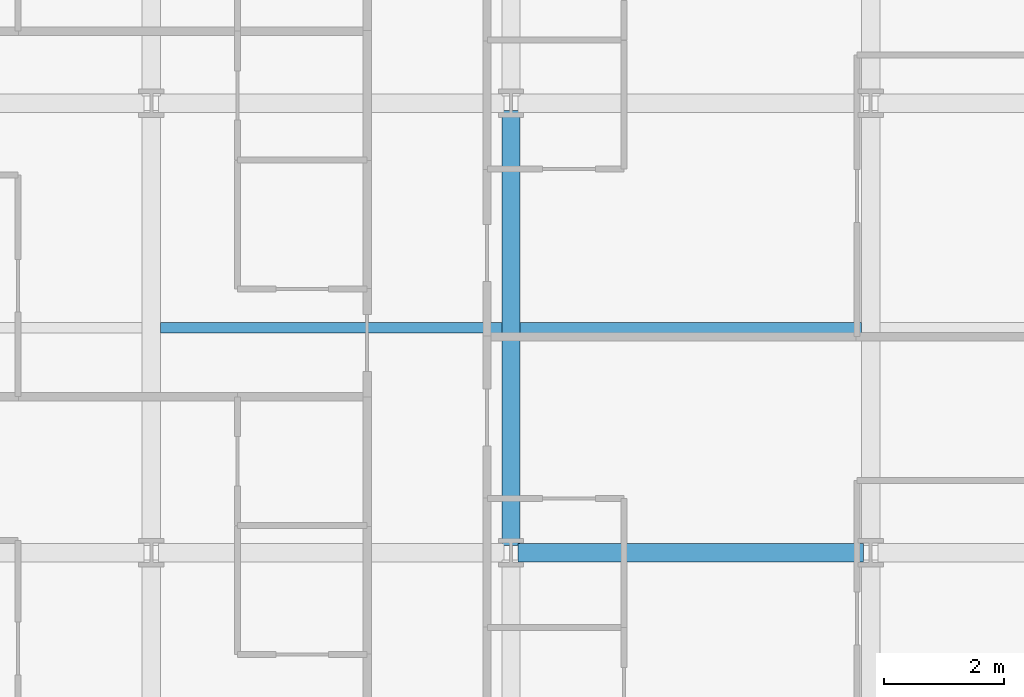
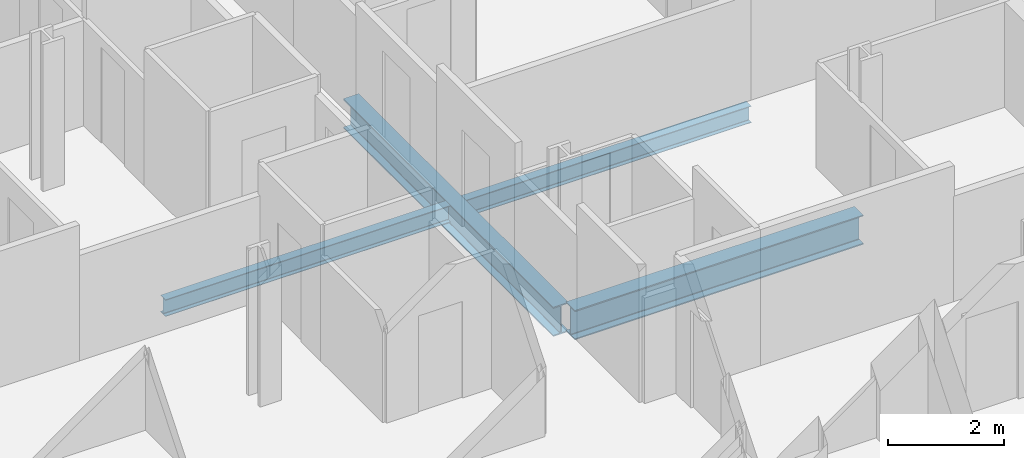
# One storey, part 6 of 40: 4 beams.
"""IFC4 building model written with IfcOpenShell, lengths in metres."""

from ifc_helpers import new_model, si_unit, direction, frame, origin, origin_2d, place, context, subcontext, project, spatial, i_section, extrude, material, material_profile, profile_set, type_object, element, save


model = new_model("IFC4")

# Units and contexts
model_context = context("Model", 3, precision=1e-05, world=origin(), true_north=direction((0.0, 1.0)))
body_context = subcontext(model_context, "Body", "Model", "MODEL_VIEW")
ifc_project = project(units=[si_unit("LENGTHUNIT", "METRE"), si_unit("AREAUNIT", "SQUARE_METRE"), si_unit("VOLUMEUNIT", "CUBIC_METRE"), si_unit("PLANEANGLEUNIT", "RADIAN"), si_unit("MASSUNIT", "GRAM", prefix="KILO")], contexts=[model_context])

# Site, building, storey
site_placement = place(None, origin())
site = spatial("IfcSite", under=ifc_project, at=site_placement, CompositionType="ELEMENT")
building_placement = place(site_placement, origin())
building = spatial("IfcBuilding", under=site, at=building_placement, Name="Brevholm Reach", CompositionType="ELEMENT")
storey_placement = place(building_placement, frame((0.0, 0.0, 31.10009765625)))
storey = spatial("IfcBuildingStorey", under=building, at=storey_placement, Name="L07", CompositionType="ELEMENT", Elevation=31.10009765625)

# Beams
ifc_material_1 = material(Name="Structural Steel S355J2", Category="steel")
ifc_material_profile_1 = material_profile(ifc_material_1, i_section(OverallWidth=0.17138671875, OverallDepth=0.35498046875, WebThickness=0.00732421875, FlangeThickness=0.011474609375, FilletRadius=0.01025390625, at=origin_2d()), Name="UKB 356x171x51")
ifc_profile_set_1 = profile_set([ifc_material_profile_1], Name="Structural Steel S355J2")
beam_type_1 = type_object("IfcBeamType", Name="BM-B356", PredefinedType="BEAM", material=ifc_profile_set_1)
for number, where, z_axis, x_axis, name in (
    (1, (6.153564453125, 19.75, -0.40771484375), (1.0, 0.0, 0.0), (0.0, 1.0, 0.0), "L07 Composite Secondary Floor Beam"),
    (2, (12.153564453125, 19.75, -0.40771484375), (1.0, 0.0, 0.0), (0.0, 1.0, 0.0), "L07 Composite Secondary Floor Beam"),
):
    element("IfcBeam", number, at=place(storey_placement, frame(where, z_axis=z_axis, x_axis=x_axis)), inside=storey, type_object=beam_type_1, Name=name, PredefinedType="BEAM", context=body_context, shape_type="SweptSolid", body=[
        extrude(i_section(OverallWidth=0.17138671875, OverallDepth=0.35498046875, WebThickness=0.00732421875, FlangeThickness=0.011474609375, FilletRadius=0.01025390625, at=origin_2d()), origin(), (0.0, 0.0, 1.0), 5.69287109375),
    ])
ifc_material_2 = material(Name="Structural Steel S355J2", Category="steel")
ifc_material_profile_2 = material_profile(ifc_material_2, i_section(OverallWidth=0.30712890625, OverallDepth=0.6201171875, WebThickness=0.01416015625, FlangeThickness=0.023681640625, FilletRadius=0.0166015625, at=origin_2d()), Name="UKB 610x305x179")
ifc_profile_set_2 = profile_set([ifc_material_profile_2], Name="Structural Steel S355J2")
beam_type_2 = type_object("IfcBeamType", Name="BM-UKB610H", PredefinedType="USERDEFINED", material=ifc_profile_set_2)
beam_1_placement = place(storey_placement, frame((12.1201171875, 16.0, -0.540283203125), z_axis=(1.0, 0.0, 0.0), x_axis=(0.0, 1.0, 0.0)))
element("IfcBeam", 3, at=beam_1_placement, inside=storey, type_object=beam_type_2, Name="L07 G-06 Framing Beam", ObjectType="GIRDER", PredefinedType="USERDEFINED", context=body_context, shape_type="SweptSolid", body=[
    extrude(i_section(OverallWidth=0.30712890625, OverallDepth=0.6201171875, WebThickness=0.01416015625, FlangeThickness=0.023681640625, FilletRadius=0.0166015625, at=origin_2d()), origin(), (0.0, 0.0, 1.0), 5.759765625),
])
beam_2_placement = place(storey_placement, frame((12.0, 16.1201171875, -0.540283203125), z_axis=(0.0, 1.0, 0.0), x_axis=(-1.0, 0.0, 0.0)))
element("IfcBeam", 4, at=beam_2_placement, inside=storey, type_object=beam_type_2, Name="L07 G-06 Framing Beam", ObjectType="GIRDER", PredefinedType="USERDEFINED", context=body_context, shape_type="SweptSolid", body=[
    extrude(i_section(OverallWidth=0.30712890625, OverallDepth=0.6201171875, WebThickness=0.01416015625, FlangeThickness=0.023681640625, FilletRadius=0.0166015625, at=origin_2d()), origin(), (0.0, 0.0, 1.0), 7.259765625),
])

save(model, "model.ifc")
